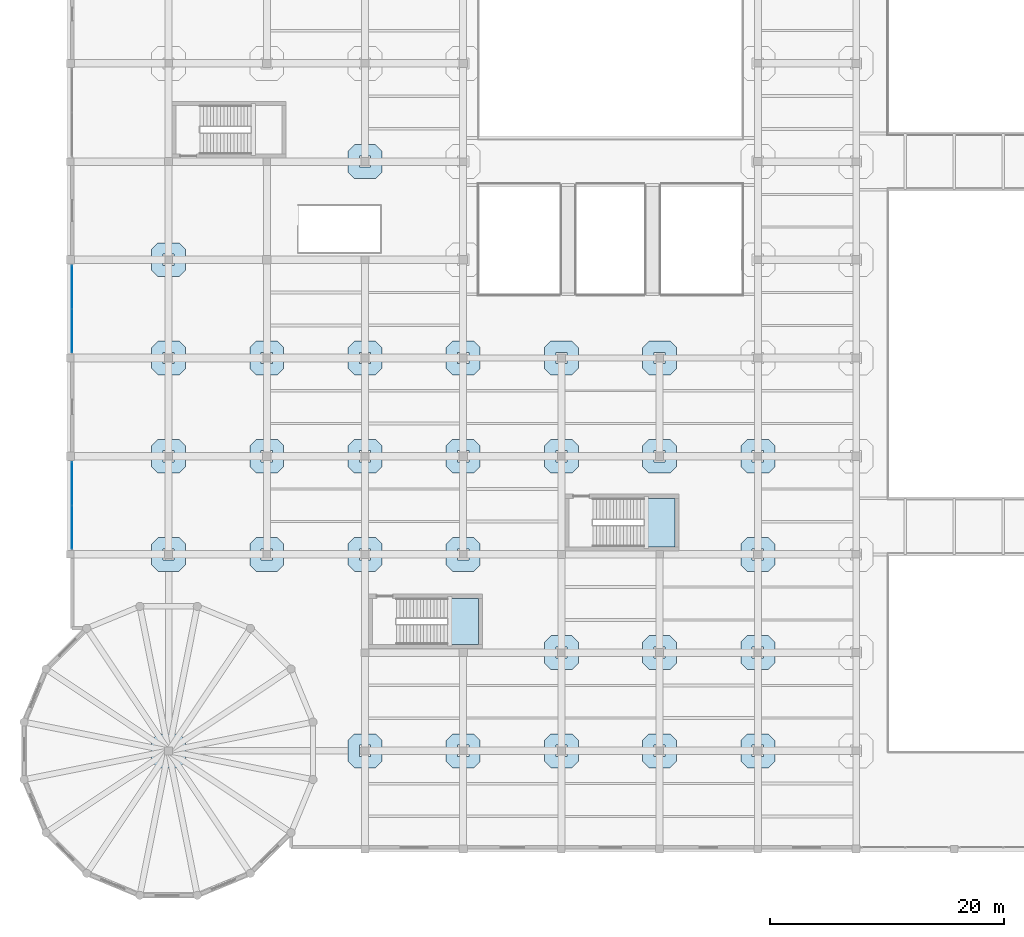
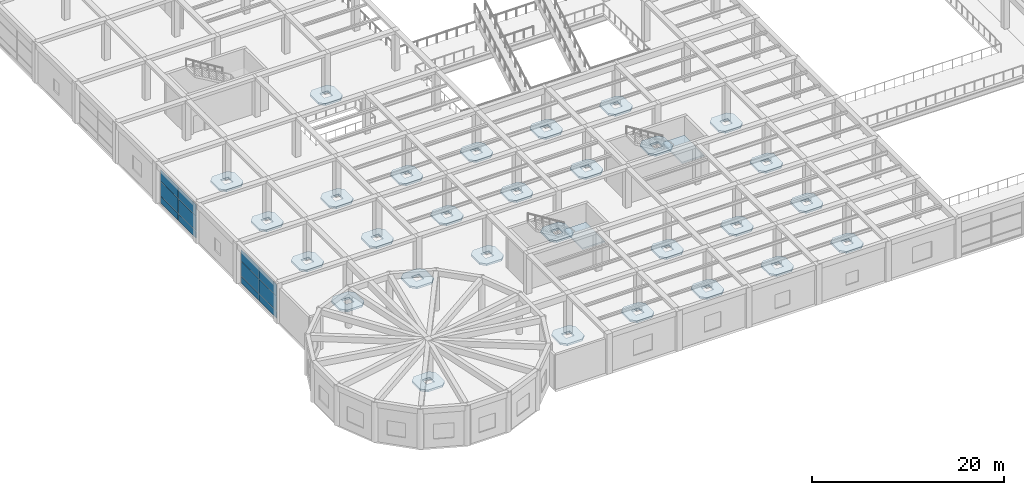
# One storey, part 40 of 65: 31 slabs, 12 plates, 4 elements without a shape of their own.
"""IFC4 building model written with IfcOpenShell, lengths in metres."""

from ifc_helpers import new_model, si_unit, direction, frame, origin, origin_2d, place, context, subcontext, project, spatial, polyline, rectangle, outline, extrude, material, layer, layer_set, type_object, element, aggregate, save


model = new_model("IFC4")

# Units and contexts
model_context = context("Model", 3, precision=1e-05, world=origin(), true_north=direction((0.0, 1.0)))
body_context = subcontext(model_context, "Body", "Model", "MODEL_VIEW")
ifc_project = project(units=[si_unit("LENGTHUNIT", "METRE"), si_unit("AREAUNIT", "SQUARE_METRE"), si_unit("VOLUMEUNIT", "CUBIC_METRE"), si_unit("PLANEANGLEUNIT", "RADIAN"), si_unit("MASSUNIT", "GRAM", prefix="KILO")], contexts=[model_context])

# Site, building, storey
site_placement = place(None, origin())
site = spatial("IfcSite", under=ifc_project, at=site_placement, CompositionType="ELEMENT")
building_placement = place(site_placement, origin())
building = spatial("IfcBuilding", under=site, at=building_placement, Name="Almacenes y Pasaje Nevantli", CompositionType="ELEMENT")
storey_placement = place(building_placement, frame((0.0, 0.0, 16.800048828125)))
storey = spatial("IfcBuildingStorey", under=building, at=storey_placement, Name="L04", CompositionType="ELEMENT", Elevation=16.800048828125)

# Curtain wall, plates
ifc_material_1 = material(Name="Thermally Broken Aluminium and Low-E Glass", Category="aluminium")
curtain_wall_type = type_object("IfcCurtainWallType", Name="CW-UNIT-PODIUM", PredefinedType="USERDEFINED", material=ifc_material_1)
curtain_wall_1_placement = place(storey_placement, origin())
curtain_wall_1 = element("IfcCurtainWall", 1, at=curtain_wall_1_placement, inside=storey, type_object=curtain_wall_type, Name="L04 West Avenue Unitized Curtain Wall Bay 4", ObjectType="UNITIZED CURTAIN WALL", PredefinedType="USERDEFINED")
ifc_material_2 = material(Name="Low-E Double Glazed Insulated Unit", Category="glass")
ifc_layer_1 = layer(ifc_material_2, 0.031982421875)
ifc_layer_set_1 = layer_set([ifc_layer_1], Name="Low-E Double Glazed Insulated Unit")
plate_type = type_object("IfcPlateType", Name="PL-IGU-32", PredefinedType="CURTAIN_PANEL", material=ifc_layer_set_1)
plate_1_placement = place(storey_placement, frame((0.14990234375, 27.538818359375, 0.05517578125), z_axis=(0.0, 0.0, 1.0), x_axis=(0.0, 1.0, 0.0)))
plate_1 = element("IfcPlate", 2, at=plate_1_placement, type_object=plate_type, Name="CW-L04-073 panel 1.1", PredefinedType="CURTAIN_PANEL", context=body_context, shape_type="SweptSolid", body=[
    extrude(rectangle(XDim=3.66748046875, YDim=0.031982421875, at=origin_2d()), origin(), (0.0, 0.0, 1.0), 0.867431640625),
])
plate_2_placement = place(storey_placement, frame((0.14990234375, 27.538818359375, 0.9775390625), z_axis=(0.0, 0.0, 1.0), x_axis=(0.0, 1.0, 0.0)))
plate_2 = element("IfcPlate", 3, at=plate_2_placement, type_object=plate_type, Name="CW-L04-073 panel 1.2", PredefinedType="CURTAIN_PANEL", context=body_context, shape_type="SweptSolid", body=[
    extrude(rectangle(XDim=3.66748046875, YDim=0.031982421875, at=origin_2d()), origin(), (0.0, 0.0, 1.0), 1.844970703125),
])
plate_3_placement = place(storey_placement, frame((0.14990234375, 27.538818359375, 2.87744140625), z_axis=(0.0, 0.0, 1.0), x_axis=(0.0, 1.0, 0.0)))
plate_3 = element("IfcPlate", 4, at=plate_3_placement, type_object=plate_type, Name="CW-L04-073 panel 1.3", PredefinedType="CURTAIN_PANEL", context=body_context, shape_type="SweptSolid", body=[
    extrude(rectangle(XDim=3.66748046875, YDim=0.031982421875, at=origin_2d()), origin(), (0.0, 0.0, 1.0), 1.447509765625),
])
plate_4_placement = place(storey_placement, frame((0.14990234375, 31.26123046875, 0.05517578125), z_axis=(0.0, 0.0, 1.0), x_axis=(0.0, 1.0, 0.0)))
plate_4 = element("IfcPlate", 5, at=plate_4_placement, type_object=plate_type, Name="CW-L04-073 panel 2.1", PredefinedType="CURTAIN_PANEL", context=body_context, shape_type="SweptSolid", body=[
    extrude(rectangle(XDim=3.66748046875, YDim=0.031982421875, at=origin_2d()), origin(), (0.0, 0.0, 1.0), 0.867431640625),
])
plate_5_placement = place(storey_placement, frame((0.14990234375, 31.26123046875, 0.9775390625), z_axis=(0.0, 0.0, 1.0), x_axis=(0.0, 1.0, 0.0)))
plate_5 = element("IfcPlate", 6, at=plate_5_placement, type_object=plate_type, Name="CW-L04-073 panel 2.2", PredefinedType="CURTAIN_PANEL", context=body_context, shape_type="SweptSolid", body=[
    extrude(rectangle(XDim=3.66748046875, YDim=0.031982421875, at=origin_2d()), origin(), (0.0, 0.0, 1.0), 1.844970703125),
])
plate_6_placement = place(storey_placement, frame((0.14990234375, 31.26123046875, 2.87744140625), z_axis=(0.0, 0.0, 1.0), x_axis=(0.0, 1.0, 0.0)))
plate_6 = element("IfcPlate", 7, at=plate_6_placement, type_object=plate_type, Name="CW-L04-073 panel 2.3", PredefinedType="CURTAIN_PANEL", context=body_context, shape_type="SweptSolid", body=[
    extrude(rectangle(XDim=3.66748046875, YDim=0.031982421875, at=origin_2d()), origin(), (0.0, 0.0, 1.0), 1.447509765625),
])
aggregate(curtain_wall_1, [plate_1, plate_2, plate_3, plate_4, plate_5, plate_6])

curtain_wall_2_placement = place(storey_placement, origin())
curtain_wall_2 = element("IfcCurtainWall", 8, at=curtain_wall_2_placement, inside=storey, type_object=curtain_wall_type, Name="L04 West Avenue Unitized Curtain Wall Bay 6", ObjectType="UNITIZED CURTAIN WALL", PredefinedType="USERDEFINED")
plate_7_placement = place(storey_placement, frame((0.14990234375, 44.3388671875, 0.05517578125), z_axis=(0.0, 0.0, 1.0), x_axis=(0.0, 1.0, 0.0)))
plate_7 = element("IfcPlate", 9, at=plate_7_placement, type_object=plate_type, Name="CW-L04-074 panel 1.1", PredefinedType="CURTAIN_PANEL", context=body_context, shape_type="SweptSolid", body=[
    extrude(rectangle(XDim=3.66748046875, YDim=0.031982421875, at=origin_2d()), origin(), (0.0, 0.0, 1.0), 0.867431640625),
])
plate_8_placement = place(storey_placement, frame((0.14990234375, 44.3388671875, 0.9775390625), z_axis=(0.0, 0.0, 1.0), x_axis=(0.0, 1.0, 0.0)))
plate_8 = element("IfcPlate", 10, at=plate_8_placement, type_object=plate_type, Name="CW-L04-074 panel 1.2", PredefinedType="CURTAIN_PANEL", context=body_context, shape_type="SweptSolid", body=[
    extrude(rectangle(XDim=3.66748046875, YDim=0.031982421875, at=origin_2d()), origin(), (0.0, 0.0, 1.0), 1.844970703125),
])
plate_9_placement = place(storey_placement, frame((0.14990234375, 44.3388671875, 2.87744140625), z_axis=(0.0, 0.0, 1.0), x_axis=(0.0, 1.0, 0.0)))
plate_9 = element("IfcPlate", 11, at=plate_9_placement, type_object=plate_type, Name="CW-L04-074 panel 1.3", PredefinedType="CURTAIN_PANEL", context=body_context, shape_type="SweptSolid", body=[
    extrude(rectangle(XDim=3.66748046875, YDim=0.031982421875, at=origin_2d()), origin(), (0.0, 0.0, 1.0), 1.447509765625),
])
plate_10_placement = place(storey_placement, frame((0.14990234375, 48.061279296875, 0.05517578125), z_axis=(0.0, 0.0, 1.0), x_axis=(0.0, 1.0, 0.0)))
plate_10 = element("IfcPlate", 12, at=plate_10_placement, type_object=plate_type, Name="CW-L04-074 panel 2.1", PredefinedType="CURTAIN_PANEL", context=body_context, shape_type="SweptSolid", body=[
    extrude(rectangle(XDim=3.66748046875, YDim=0.031982421875, at=origin_2d()), origin(), (0.0, 0.0, 1.0), 0.867431640625),
])
plate_11_placement = place(storey_placement, frame((0.14990234375, 48.061279296875, 0.9775390625), z_axis=(0.0, 0.0, 1.0), x_axis=(0.0, 1.0, 0.0)))
plate_11 = element("IfcPlate", 13, at=plate_11_placement, type_object=plate_type, Name="CW-L04-074 panel 2.2", PredefinedType="CURTAIN_PANEL", context=body_context, shape_type="SweptSolid", body=[
    extrude(rectangle(XDim=3.66748046875, YDim=0.031982421875, at=origin_2d()), origin(), (0.0, 0.0, 1.0), 1.844970703125),
])
plate_12_placement = place(storey_placement, frame((0.14990234375, 48.061279296875, 2.87744140625), z_axis=(0.0, 0.0, 1.0), x_axis=(0.0, 1.0, 0.0)))
plate_12 = element("IfcPlate", 14, at=plate_12_placement, type_object=plate_type, Name="CW-L04-074 panel 2.3", PredefinedType="CURTAIN_PANEL", context=body_context, shape_type="SweptSolid", body=[
    extrude(rectangle(XDim=3.66748046875, YDim=0.031982421875, at=origin_2d()), origin(), (0.0, 0.0, 1.0), 1.447509765625),
])
aggregate(curtain_wall_2, [plate_7, plate_8, plate_9, plate_10, plate_11, plate_12])

# Slabs
ifc_material_3 = material(Name="Concrete C35/45", Category="concrete")
ifc_layer_2 = layer(ifc_material_3, 0.25)
ifc_layer_set_2 = layer_set([ifc_layer_2], Name="Concrete C35/45")
slab_type_1 = type_object("IfcSlabType", Name="SLB-DP-250", PredefinedType="USERDEFINED", material=ifc_layer_set_2)
slab_1_placement = place(storey_placement, frame((0.0, 0.0, -0.550048828125)))
element("IfcSlab", 15, at=slab_1_placement, inside=storey, type_object=slab_type_1, Name="L04 Punching-Shear Drop Panel DP-02 #749", ObjectType="DROP PANEL", PredefinedType="USERDEFINED", context=body_context, shape_type="SweptSolid", body=[
    extrude(outline(polyline([(7.5, 6.949951171875), (9.300048828125, 6.949951171875), (9.85009765625, 7.5), (9.85009765625, 9.300048828125), (9.300048828125, 9.85009765625), (7.5, 9.85009765625), (6.949951171875, 9.300048828125), (6.949951171875, 7.5), (7.5, 6.949951171875)]), holes=[polyline([(7.919921875, 7.919921875), (8.8798828125, 7.919921875), (8.8798828125, 8.8798828125), (7.919921875, 8.8798828125), (7.919921875, 7.919921875)])]), origin(), (0.0, 0.0, 1.0), 0.25),
])
slab_2_placement = place(storey_placement, frame((0.0, 0.0, -0.550048828125)))
element("IfcSlab", 16, at=slab_2_placement, inside=storey, type_object=slab_type_1, Name="L04 Punching-Shear Drop Panel DP-02 #750", ObjectType="DROP PANEL", PredefinedType="USERDEFINED", context=body_context, shape_type="SweptSolid", body=[
    extrude(outline(polyline([(7.5, 23.75), (9.300048828125, 23.75), (9.85009765625, 24.300048828125), (9.85009765625, 26.10009765625), (9.300048828125, 26.64990234375), (7.5, 26.64990234375), (6.949951171875, 26.10009765625), (6.949951171875, 24.300048828125), (7.5, 23.75)]), holes=[polyline([(7.919921875, 24.719970703125), (8.8798828125, 24.719970703125), (8.8798828125, 25.679931640625), (7.919921875, 25.679931640625), (7.919921875, 24.719970703125)])]), origin(), (0.0, 0.0, 1.0), 0.25),
])
slab_3_placement = place(storey_placement, frame((0.0, 0.0, -0.550048828125)))
element("IfcSlab", 17, at=slab_3_placement, inside=storey, type_object=slab_type_1, Name="L04 Punching-Shear Drop Panel DP-02 #751", ObjectType="DROP PANEL", PredefinedType="USERDEFINED", context=body_context, shape_type="SweptSolid", body=[
    extrude(outline(polyline([(7.5, 32.14990234375), (9.300048828125, 32.14990234375), (9.85009765625, 32.699951171875), (9.85009765625, 34.5), (9.300048828125, 35.050048828125), (7.5, 35.050048828125), (6.949951171875, 34.5), (6.949951171875, 32.699951171875), (7.5, 32.14990234375)]), holes=[polyline([(7.919921875, 33.1201171875), (8.8798828125, 33.1201171875), (8.8798828125, 34.080078125), (7.919921875, 34.080078125), (7.919921875, 33.1201171875)])]), origin(), (0.0, 0.0, 1.0), 0.25),
])
slab_4_placement = place(storey_placement, frame((0.0, 0.0, -0.550048828125)))
element("IfcSlab", 18, at=slab_4_placement, inside=storey, type_object=slab_type_1, Name="L04 Punching-Shear Drop Panel DP-02 #752", ObjectType="DROP PANEL", PredefinedType="USERDEFINED", context=body_context, shape_type="SweptSolid", body=[
    extrude(outline(polyline([(7.5, 40.550048828125), (9.300048828125, 40.550048828125), (9.85009765625, 41.10009765625), (9.85009765625, 42.89990234375), (9.300048828125, 43.449951171875), (7.5, 43.449951171875), (6.949951171875, 42.89990234375), (6.949951171875, 41.10009765625), (7.5, 40.550048828125)]), holes=[polyline([(7.919921875, 41.52001953125), (8.8798828125, 41.52001953125), (8.8798828125, 42.47998046875), (7.919921875, 42.47998046875), (7.919921875, 41.52001953125)])]), origin(), (0.0, 0.0, 1.0), 0.25),
])
slab_5_placement = place(storey_placement, frame((0.0, 0.0, -0.550048828125)))
element("IfcSlab", 19, at=slab_5_placement, inside=storey, type_object=slab_type_1, Name="L04 Punching-Shear Drop Panel DP-02 #753", ObjectType="DROP PANEL", PredefinedType="USERDEFINED", context=body_context, shape_type="SweptSolid", body=[
    extrude(outline(polyline([(7.5, 48.949951171875), (9.300048828125, 48.949951171875), (9.85009765625, 49.5), (9.85009765625, 51.300048828125), (9.300048828125, 51.85009765625), (7.5, 51.85009765625), (6.949951171875, 51.300048828125), (6.949951171875, 49.5), (7.5, 48.949951171875)]), holes=[polyline([(7.919921875, 49.919921875), (8.8798828125, 49.919921875), (8.8798828125, 50.8798828125), (7.919921875, 50.8798828125), (7.919921875, 49.919921875)])]), origin(), (0.0, 0.0, 1.0), 0.25),
])
slab_6_placement = place(storey_placement, frame((0.0, 0.0, -0.550048828125)))
element("IfcSlab", 20, at=slab_6_placement, inside=storey, type_object=slab_type_1, Name="L04 Punching-Shear Drop Panel DP-02 #759", ObjectType="DROP PANEL", PredefinedType="USERDEFINED", context=body_context, shape_type="SweptSolid", body=[
    extrude(outline(polyline([(15.89990234375, 23.75), (17.699951171875, 23.75), (18.25, 24.300048828125), (18.25, 26.10009765625), (17.699951171875, 26.64990234375), (15.89990234375, 26.64990234375), (15.35009765625, 26.10009765625), (15.35009765625, 24.300048828125), (15.89990234375, 23.75)]), holes=[polyline([(16.320068359375, 24.719970703125), (17.280029296875, 24.719970703125), (17.280029296875, 25.679931640625), (16.320068359375, 25.679931640625), (16.320068359375, 24.719970703125)])]), origin(), (0.0, 0.0, 1.0), 0.25),
])
slab_7_placement = place(storey_placement, frame((0.0, 0.0, -0.550048828125)))
element("IfcSlab", 21, at=slab_7_placement, inside=storey, type_object=slab_type_1, Name="L04 Punching-Shear Drop Panel DP-02 #760", ObjectType="DROP PANEL", PredefinedType="USERDEFINED", context=body_context, shape_type="SweptSolid", body=[
    extrude(outline(polyline([(15.89990234375, 32.14990234375), (17.699951171875, 32.14990234375), (18.25, 32.699951171875), (18.25, 34.5), (17.699951171875, 35.050048828125), (15.89990234375, 35.050048828125), (15.35009765625, 34.5), (15.35009765625, 32.699951171875), (15.89990234375, 32.14990234375)]), holes=[polyline([(16.320068359375, 33.1201171875), (17.280029296875, 33.1201171875), (17.280029296875, 34.080078125), (16.320068359375, 34.080078125), (16.320068359375, 33.1201171875)])]), origin(), (0.0, 0.0, 1.0), 0.25),
])
slab_8_placement = place(storey_placement, frame((0.0, 0.0, -0.550048828125)))
element("IfcSlab", 22, at=slab_8_placement, inside=storey, type_object=slab_type_1, Name="L04 Punching-Shear Drop Panel DP-02 #761", ObjectType="DROP PANEL", PredefinedType="USERDEFINED", context=body_context, shape_type="SweptSolid", body=[
    extrude(outline(polyline([(15.89990234375, 40.550048828125), (17.699951171875, 40.550048828125), (18.25, 41.10009765625), (18.25, 42.89990234375), (17.699951171875, 43.449951171875), (15.89990234375, 43.449951171875), (15.35009765625, 42.89990234375), (15.35009765625, 41.10009765625), (15.89990234375, 40.550048828125)]), holes=[polyline([(16.320068359375, 41.52001953125), (17.280029296875, 41.52001953125), (17.280029296875, 42.47998046875), (16.320068359375, 42.47998046875), (16.320068359375, 41.52001953125)])]), origin(), (0.0, 0.0, 1.0), 0.25),
])
slab_9_placement = place(storey_placement, frame((0.0, 0.0, -0.550048828125)))
element("IfcSlab", 23, at=slab_9_placement, inside=storey, type_object=slab_type_1, Name="L04 Punching-Shear Drop Panel DP-02 #767", ObjectType="DROP PANEL", PredefinedType="USERDEFINED", context=body_context, shape_type="SweptSolid", body=[
    extrude(outline(polyline([(24.300048828125, 6.949951171875), (26.10009765625, 6.949951171875), (26.64990234375, 7.5), (26.64990234375, 9.300048828125), (26.10009765625, 9.85009765625), (24.300048828125, 9.85009765625), (23.75, 9.300048828125), (23.75, 7.5), (24.300048828125, 6.949951171875)]), holes=[polyline([(24.719970703125, 7.919921875), (25.679931640625, 7.919921875), (25.679931640625, 8.8798828125), (24.719970703125, 8.8798828125), (24.719970703125, 7.919921875)])]), origin(), (0.0, 0.0, 1.0), 0.25),
])
slab_10_placement = place(storey_placement, frame((0.0, 0.0, -0.550048828125)))
element("IfcSlab", 24, at=slab_10_placement, inside=storey, type_object=slab_type_1, Name="L04 Punching-Shear Drop Panel DP-02 #768", ObjectType="DROP PANEL", PredefinedType="USERDEFINED", context=body_context, shape_type="SweptSolid", body=[
    extrude(outline(polyline([(24.300048828125, 23.75), (26.10009765625, 23.75), (26.64990234375, 24.300048828125), (26.64990234375, 26.10009765625), (26.10009765625, 26.64990234375), (24.300048828125, 26.64990234375), (23.75, 26.10009765625), (23.75, 24.300048828125), (24.300048828125, 23.75)]), holes=[polyline([(24.719970703125, 24.719970703125), (25.679931640625, 24.719970703125), (25.679931640625, 25.679931640625), (24.719970703125, 25.679931640625), (24.719970703125, 24.719970703125)])]), origin(), (0.0, 0.0, 1.0), 0.25),
])
slab_11_placement = place(storey_placement, frame((0.0, 0.0, -0.550048828125)))
element("IfcSlab", 25, at=slab_11_placement, inside=storey, type_object=slab_type_1, Name="L04 Punching-Shear Drop Panel DP-02 #769", ObjectType="DROP PANEL", PredefinedType="USERDEFINED", context=body_context, shape_type="SweptSolid", body=[
    extrude(outline(polyline([(24.300048828125, 32.14990234375), (26.10009765625, 32.14990234375), (26.64990234375, 32.699951171875), (26.64990234375, 34.5), (26.10009765625, 35.050048828125), (24.300048828125, 35.050048828125), (23.75, 34.5), (23.75, 32.699951171875), (24.300048828125, 32.14990234375)]), holes=[polyline([(24.719970703125, 33.1201171875), (25.679931640625, 33.1201171875), (25.679931640625, 34.080078125), (24.719970703125, 34.080078125), (24.719970703125, 33.1201171875)])]), origin(), (0.0, 0.0, 1.0), 0.25),
])
slab_12_placement = place(storey_placement, frame((0.0, 0.0, -0.550048828125)))
element("IfcSlab", 26, at=slab_12_placement, inside=storey, type_object=slab_type_1, Name="L04 Punching-Shear Drop Panel DP-02 #770", ObjectType="DROP PANEL", PredefinedType="USERDEFINED", context=body_context, shape_type="SweptSolid", body=[
    extrude(outline(polyline([(24.300048828125, 40.550048828125), (26.10009765625, 40.550048828125), (26.64990234375, 41.10009765625), (26.64990234375, 42.89990234375), (26.10009765625, 43.449951171875), (24.300048828125, 43.449951171875), (23.75, 42.89990234375), (23.75, 41.10009765625), (24.300048828125, 40.550048828125)]), holes=[polyline([(24.719970703125, 41.52001953125), (25.679931640625, 41.52001953125), (25.679931640625, 42.47998046875), (24.719970703125, 42.47998046875), (24.719970703125, 41.52001953125)])]), origin(), (0.0, 0.0, 1.0), 0.25),
])
slab_13_placement = place(storey_placement, frame((0.0, 0.0, -0.550048828125)))
element("IfcSlab", 27, at=slab_13_placement, inside=storey, type_object=slab_type_1, Name="L04 Punching-Shear Drop Panel DP-02 #771", ObjectType="DROP PANEL", PredefinedType="USERDEFINED", context=body_context, shape_type="SweptSolid", body=[
    extrude(outline(polyline([(24.300048828125, 57.35009765625), (26.10009765625, 57.35009765625), (26.64990234375, 57.89990234375), (26.64990234375, 59.699951171875), (26.10009765625, 60.25), (24.300048828125, 60.25), (23.75, 59.699951171875), (23.75, 57.89990234375), (24.300048828125, 57.35009765625)]), holes=[polyline([(24.719970703125, 58.320068359375), (25.679931640625, 58.320068359375), (25.679931640625, 59.280029296875), (24.719970703125, 59.280029296875), (24.719970703125, 58.320068359375)])]), origin(), (0.0, 0.0, 1.0), 0.25),
])
slab_14_placement = place(storey_placement, frame((0.0, 0.0, -0.550048828125)))
element("IfcSlab", 28, at=slab_14_placement, inside=storey, type_object=slab_type_1, Name="L04 Punching-Shear Drop Panel DP-02 #778", ObjectType="DROP PANEL", PredefinedType="USERDEFINED", context=body_context, shape_type="SweptSolid", body=[
    extrude(outline(polyline([(32.699951171875, 6.949951171875), (34.5, 6.949951171875), (35.050048828125, 7.5), (35.050048828125, 9.300048828125), (34.5, 9.85009765625), (32.699951171875, 9.85009765625), (32.14990234375, 9.300048828125), (32.14990234375, 7.5), (32.699951171875, 6.949951171875)]), holes=[polyline([(33.1201171875, 7.919921875), (34.080078125, 7.919921875), (34.080078125, 8.8798828125), (33.1201171875, 8.8798828125), (33.1201171875, 7.919921875)])]), origin(), (0.0, 0.0, 1.0), 0.25),
])
slab_15_placement = place(storey_placement, frame((0.0, 0.0, -0.550048828125)))
element("IfcSlab", 29, at=slab_15_placement, inside=storey, type_object=slab_type_1, Name="L04 Punching-Shear Drop Panel DP-02 #779", ObjectType="DROP PANEL", PredefinedType="USERDEFINED", context=body_context, shape_type="SweptSolid", body=[
    extrude(outline(polyline([(32.699951171875, 23.75), (34.5, 23.75), (35.050048828125, 24.300048828125), (35.050048828125, 26.10009765625), (34.5, 26.64990234375), (32.699951171875, 26.64990234375), (32.14990234375, 26.10009765625), (32.14990234375, 24.300048828125), (32.699951171875, 23.75)]), holes=[polyline([(33.1201171875, 24.719970703125), (34.080078125, 24.719970703125), (34.080078125, 25.679931640625), (33.1201171875, 25.679931640625), (33.1201171875, 24.719970703125)])]), origin(), (0.0, 0.0, 1.0), 0.25),
])
slab_16_placement = place(storey_placement, frame((0.0, 0.0, -0.550048828125)))
element("IfcSlab", 30, at=slab_16_placement, inside=storey, type_object=slab_type_1, Name="L04 Punching-Shear Drop Panel DP-02 #780", ObjectType="DROP PANEL", PredefinedType="USERDEFINED", context=body_context, shape_type="SweptSolid", body=[
    extrude(outline(polyline([(32.699951171875, 32.14990234375), (34.5, 32.14990234375), (35.050048828125, 32.699951171875), (35.050048828125, 34.5), (34.5, 35.050048828125), (32.699951171875, 35.050048828125), (32.14990234375, 34.5), (32.14990234375, 32.699951171875), (32.699951171875, 32.14990234375)]), holes=[polyline([(33.1201171875, 33.1201171875), (34.080078125, 33.1201171875), (34.080078125, 34.080078125), (33.1201171875, 34.080078125), (33.1201171875, 33.1201171875)])]), origin(), (0.0, 0.0, 1.0), 0.25),
])
slab_17_placement = place(storey_placement, frame((0.0, 0.0, -0.550048828125)))
element("IfcSlab", 31, at=slab_17_placement, inside=storey, type_object=slab_type_1, Name="L04 Punching-Shear Drop Panel DP-02 #781", ObjectType="DROP PANEL", PredefinedType="USERDEFINED", context=body_context, shape_type="SweptSolid", body=[
    extrude(outline(polyline([(32.699951171875, 40.550048828125), (34.5, 40.550048828125), (35.050048828125, 41.10009765625), (35.050048828125, 42.89990234375), (34.5, 43.449951171875), (32.699951171875, 43.449951171875), (32.14990234375, 42.89990234375), (32.14990234375, 41.10009765625), (32.699951171875, 40.550048828125)]), holes=[polyline([(33.1201171875, 41.52001953125), (34.080078125, 41.52001953125), (34.080078125, 42.47998046875), (33.1201171875, 42.47998046875), (33.1201171875, 41.52001953125)])]), origin(), (0.0, 0.0, 1.0), 0.25),
])
slab_18_placement = place(storey_placement, frame((0.0, 0.0, -0.550048828125)))
element("IfcSlab", 32, at=slab_18_placement, inside=storey, type_object=slab_type_1, Name="L04 Punching-Shear Drop Panel DP-02 #789", ObjectType="DROP PANEL", PredefinedType="USERDEFINED", context=body_context, shape_type="SweptSolid", body=[
    extrude(outline(polyline([(41.10009765625, 6.949951171875), (42.89990234375, 6.949951171875), (43.449951171875, 7.5), (43.449951171875, 9.300048828125), (42.89990234375, 9.85009765625), (41.10009765625, 9.85009765625), (40.550048828125, 9.300048828125), (40.550048828125, 7.5), (41.10009765625, 6.949951171875)]), holes=[polyline([(41.52001953125, 7.919921875), (42.47998046875, 7.919921875), (42.47998046875, 8.8798828125), (41.52001953125, 8.8798828125), (41.52001953125, 7.919921875)])]), origin(), (0.0, 0.0, 1.0), 0.25),
])
slab_19_placement = place(storey_placement, frame((0.0, 0.0, -0.550048828125)))
element("IfcSlab", 33, at=slab_19_placement, inside=storey, type_object=slab_type_1, Name="L04 Punching-Shear Drop Panel DP-02 #790", ObjectType="DROP PANEL", PredefinedType="USERDEFINED", context=body_context, shape_type="SweptSolid", body=[
    extrude(outline(polyline([(41.10009765625, 15.35009765625), (42.89990234375, 15.35009765625), (43.449951171875, 15.89990234375), (43.449951171875, 17.699951171875), (42.89990234375, 18.25), (41.10009765625, 18.25), (40.550048828125, 17.699951171875), (40.550048828125, 15.89990234375), (41.10009765625, 15.35009765625)]), holes=[polyline([(41.52001953125, 16.320068359375), (42.47998046875, 16.320068359375), (42.47998046875, 17.280029296875), (41.52001953125, 17.280029296875), (41.52001953125, 16.320068359375)])]), origin(), (0.0, 0.0, 1.0), 0.25),
])
slab_20_placement = place(storey_placement, frame((0.0, 0.0, -0.550048828125)))
element("IfcSlab", 34, at=slab_20_placement, inside=storey, type_object=slab_type_1, Name="L04 Punching-Shear Drop Panel DP-02 #791", ObjectType="DROP PANEL", PredefinedType="USERDEFINED", context=body_context, shape_type="SweptSolid", body=[
    extrude(outline(polyline([(41.10009765625, 32.14990234375), (42.89990234375, 32.14990234375), (43.449951171875, 32.699951171875), (43.449951171875, 34.5), (42.89990234375, 35.050048828125), (41.10009765625, 35.050048828125), (40.550048828125, 34.5), (40.550048828125, 32.699951171875), (41.10009765625, 32.14990234375)]), holes=[polyline([(41.52001953125, 33.1201171875), (42.47998046875, 33.1201171875), (42.47998046875, 34.080078125), (41.52001953125, 34.080078125), (41.52001953125, 33.1201171875)])]), origin(), (0.0, 0.0, 1.0), 0.25),
])
slab_21_placement = place(storey_placement, frame((0.0, 0.0, -0.550048828125)))
element("IfcSlab", 35, at=slab_21_placement, inside=storey, type_object=slab_type_1, Name="L04 Punching-Shear Drop Panel DP-02 #792", ObjectType="DROP PANEL", PredefinedType="USERDEFINED", context=body_context, shape_type="SweptSolid", body=[
    extrude(outline(polyline([(41.10009765625, 40.550048828125), (42.89990234375, 40.550048828125), (43.449951171875, 41.10009765625), (43.449951171875, 42.89990234375), (42.89990234375, 43.449951171875), (41.10009765625, 43.449951171875), (40.550048828125, 42.89990234375), (40.550048828125, 41.10009765625), (41.10009765625, 40.550048828125)]), holes=[polyline([(41.52001953125, 41.52001953125), (42.47998046875, 41.52001953125), (42.47998046875, 42.47998046875), (41.52001953125, 42.47998046875), (41.52001953125, 41.52001953125)])]), origin(), (0.0, 0.0, 1.0), 0.25),
])
slab_22_placement = place(storey_placement, frame((0.0, 0.0, -0.550048828125)))
element("IfcSlab", 36, at=slab_22_placement, inside=storey, type_object=slab_type_1, Name="L04 Punching-Shear Drop Panel DP-02 #797", ObjectType="DROP PANEL", PredefinedType="USERDEFINED", context=body_context, shape_type="SweptSolid", body=[
    extrude(outline(polyline([(49.5, 6.949951171875), (51.300048828125, 6.949951171875), (51.85009765625, 7.5), (51.85009765625, 9.300048828125), (51.300048828125, 9.85009765625), (49.5, 9.85009765625), (48.949951171875, 9.300048828125), (48.949951171875, 7.5), (49.5, 6.949951171875)]), holes=[polyline([(49.919921875, 7.919921875), (50.8798828125, 7.919921875), (50.8798828125, 8.8798828125), (49.919921875, 8.8798828125), (49.919921875, 7.919921875)])]), origin(), (0.0, 0.0, 1.0), 0.25),
])
slab_23_placement = place(storey_placement, frame((0.0, 0.0, -0.550048828125)))
element("IfcSlab", 37, at=slab_23_placement, inside=storey, type_object=slab_type_1, Name="L04 Punching-Shear Drop Panel DP-02 #798", ObjectType="DROP PANEL", PredefinedType="USERDEFINED", context=body_context, shape_type="SweptSolid", body=[
    extrude(outline(polyline([(49.5, 15.35009765625), (51.300048828125, 15.35009765625), (51.85009765625, 15.89990234375), (51.85009765625, 17.699951171875), (51.300048828125, 18.25), (49.5, 18.25), (48.949951171875, 17.699951171875), (48.949951171875, 15.89990234375), (49.5, 15.35009765625)]), holes=[polyline([(49.919921875, 16.320068359375), (50.8798828125, 16.320068359375), (50.8798828125, 17.280029296875), (49.919921875, 17.280029296875), (49.919921875, 16.320068359375)])]), origin(), (0.0, 0.0, 1.0), 0.25),
])
slab_24_placement = place(storey_placement, frame((0.0, 0.0, -0.550048828125)))
element("IfcSlab", 38, at=slab_24_placement, inside=storey, type_object=slab_type_1, Name="L04 Punching-Shear Drop Panel DP-02 #799", ObjectType="DROP PANEL", PredefinedType="USERDEFINED", context=body_context, shape_type="SweptSolid", body=[
    extrude(outline(polyline([(49.5, 32.14990234375), (51.300048828125, 32.14990234375), (51.85009765625, 32.699951171875), (51.85009765625, 34.5), (51.300048828125, 35.050048828125), (49.5, 35.050048828125), (48.949951171875, 34.5), (48.949951171875, 32.699951171875), (49.5, 32.14990234375)]), holes=[polyline([(49.919921875, 33.1201171875), (50.8798828125, 33.1201171875), (50.8798828125, 34.080078125), (49.919921875, 34.080078125), (49.919921875, 33.1201171875)])]), origin(), (0.0, 0.0, 1.0), 0.25),
])
slab_25_placement = place(storey_placement, frame((0.0, 0.0, -0.550048828125)))
element("IfcSlab", 39, at=slab_25_placement, inside=storey, type_object=slab_type_1, Name="L04 Punching-Shear Drop Panel DP-02 #800", ObjectType="DROP PANEL", PredefinedType="USERDEFINED", context=body_context, shape_type="SweptSolid", body=[
    extrude(outline(polyline([(49.5, 40.550048828125), (51.300048828125, 40.550048828125), (51.85009765625, 41.10009765625), (51.85009765625, 42.89990234375), (51.300048828125, 43.449951171875), (49.5, 43.449951171875), (48.949951171875, 42.89990234375), (48.949951171875, 41.10009765625), (49.5, 40.550048828125)]), holes=[polyline([(49.919921875, 41.52001953125), (50.8798828125, 41.52001953125), (50.8798828125, 42.47998046875), (49.919921875, 42.47998046875), (49.919921875, 41.52001953125)])]), origin(), (0.0, 0.0, 1.0), 0.25),
])
slab_26_placement = place(storey_placement, frame((0.0, 0.0, -0.550048828125)))
element("IfcSlab", 40, at=slab_26_placement, inside=storey, type_object=slab_type_1, Name="L04 Punching-Shear Drop Panel DP-02 #805", ObjectType="DROP PANEL", PredefinedType="USERDEFINED", context=body_context, shape_type="SweptSolid", body=[
    extrude(outline(polyline([(57.89990234375, 6.949951171875), (59.699951171875, 6.949951171875), (60.25, 7.5), (60.25, 9.300048828125), (59.699951171875, 9.85009765625), (57.89990234375, 9.85009765625), (57.35009765625, 9.300048828125), (57.35009765625, 7.5), (57.89990234375, 6.949951171875)]), holes=[polyline([(58.320068359375, 7.919921875), (59.280029296875, 7.919921875), (59.280029296875, 8.8798828125), (58.320068359375, 8.8798828125), (58.320068359375, 7.919921875)])]), origin(), (0.0, 0.0, 1.0), 0.25),
])
slab_27_placement = place(storey_placement, frame((0.0, 0.0, -0.550048828125)))
element("IfcSlab", 41, at=slab_27_placement, inside=storey, type_object=slab_type_1, Name="L04 Punching-Shear Drop Panel DP-02 #806", ObjectType="DROP PANEL", PredefinedType="USERDEFINED", context=body_context, shape_type="SweptSolid", body=[
    extrude(outline(polyline([(57.89990234375, 15.35009765625), (59.699951171875, 15.35009765625), (60.25, 15.89990234375), (60.25, 17.699951171875), (59.699951171875, 18.25), (57.89990234375, 18.25), (57.35009765625, 17.699951171875), (57.35009765625, 15.89990234375), (57.89990234375, 15.35009765625)]), holes=[polyline([(58.320068359375, 16.320068359375), (59.280029296875, 16.320068359375), (59.280029296875, 17.280029296875), (58.320068359375, 17.280029296875), (58.320068359375, 16.320068359375)])]), origin(), (0.0, 0.0, 1.0), 0.25),
])
slab_28_placement = place(storey_placement, frame((0.0, 0.0, -0.550048828125)))
element("IfcSlab", 42, at=slab_28_placement, inside=storey, type_object=slab_type_1, Name="L04 Punching-Shear Drop Panel DP-02 #807", ObjectType="DROP PANEL", PredefinedType="USERDEFINED", context=body_context, shape_type="SweptSolid", body=[
    extrude(outline(polyline([(57.89990234375, 23.75), (59.699951171875, 23.75), (60.25, 24.300048828125), (60.25, 26.10009765625), (59.699951171875, 26.64990234375), (57.89990234375, 26.64990234375), (57.35009765625, 26.10009765625), (57.35009765625, 24.300048828125), (57.89990234375, 23.75)]), holes=[polyline([(58.320068359375, 24.719970703125), (59.280029296875, 24.719970703125), (59.280029296875, 25.679931640625), (58.320068359375, 25.679931640625), (58.320068359375, 24.719970703125)])]), origin(), (0.0, 0.0, 1.0), 0.25),
])
slab_29_placement = place(storey_placement, frame((0.0, 0.0, -0.550048828125)))
element("IfcSlab", 43, at=slab_29_placement, inside=storey, type_object=slab_type_1, Name="L04 Punching-Shear Drop Panel DP-02 #808", ObjectType="DROP PANEL", PredefinedType="USERDEFINED", context=body_context, shape_type="SweptSolid", body=[
    extrude(outline(polyline([(57.89990234375, 32.14990234375), (59.699951171875, 32.14990234375), (60.25, 32.699951171875), (60.25, 34.5), (59.699951171875, 35.050048828125), (57.89990234375, 35.050048828125), (57.35009765625, 34.5), (57.35009765625, 32.699951171875), (57.89990234375, 32.14990234375)]), holes=[polyline([(58.320068359375, 33.1201171875), (59.280029296875, 33.1201171875), (59.280029296875, 34.080078125), (58.320068359375, 34.080078125), (58.320068359375, 33.1201171875)])]), origin(), (0.0, 0.0, 1.0), 0.25),
])

# Stair, slab
ifc_material_4 = material(Name="Concrete C35/45", Category="concrete")
stair_type_1 = type_object("IfcStairType", Name="STR-CORE-1750", PredefinedType="HALF_TURN_STAIR", material=ifc_material_4)
stair_1_placement = place(storey_placement, origin())
stair_1 = element("IfcStair", 44, at=stair_1_placement, inside=storey, type_object=stair_type_1, Name="L04 Staircase ST-04", PredefinedType="HALF_TURN_STAIR")
ifc_material_5 = material(Name="Concrete C35/45", Category="concrete")
ifc_layer_3 = layer(ifc_material_5, 0.199951171875)
ifc_layer_set_3 = layer_set([ifc_layer_3], Name="Concrete C35/45")
slab_type_2 = type_object("IfcSlabType", Name="SLB-LAND-200", PredefinedType="LANDING", material=ifc_layer_set_3)
slab_30_placement = place(storey_placement, frame((0.0, 0.0, 2.5)))
slab_30 = element("IfcSlab", 45, at=slab_30_placement, type_object=slab_type_2, Name="ST-04-L04 landing 1", PredefinedType="LANDING", context=body_context, shape_type="SweptSolid", body=[
    extrude(outline(polyline([(32.235107421875, 17.5), (34.89990234375, 17.5), (34.89990234375, 21.449951171875), (32.235107421875, 21.449951171875), (32.235107421875, 17.5)])), origin(), (0.0, 0.0, 1.0), 0.199951171875),
])
aggregate(stair_1, [slab_30])

ifc_material_6 = material(Name="Concrete C35/45", Category="concrete")
stair_type_2 = type_object("IfcStairType", Name="STR-CORE-1850", PredefinedType="HALF_TURN_STAIR", material=ifc_material_6)
stair_2_placement = place(storey_placement, origin())
stair_2 = element("IfcStair", 46, at=stair_2_placement, inside=storey, type_object=stair_type_2, Name="L04 Staircase ST-14", PredefinedType="HALF_TURN_STAIR")
slab_31_placement = place(storey_placement, frame((0.0, 0.0, 2.5)))
slab_31 = element("IfcSlab", 47, at=slab_31_placement, type_object=slab_type_2, Name="ST-14-L04 landing 1", PredefinedType="LANDING", context=body_context, shape_type="SweptSolid", body=[
    extrude(outline(polyline([(49.034912109375, 25.85009765625), (51.699951171875, 25.85009765625), (51.699951171875, 30.0), (49.034912109375, 30.0), (49.034912109375, 25.85009765625)])), origin(), (0.0, 0.0, 1.0), 0.199951171875),
])
aggregate(stair_2, [slab_31])

save(model, "model.ifc")
